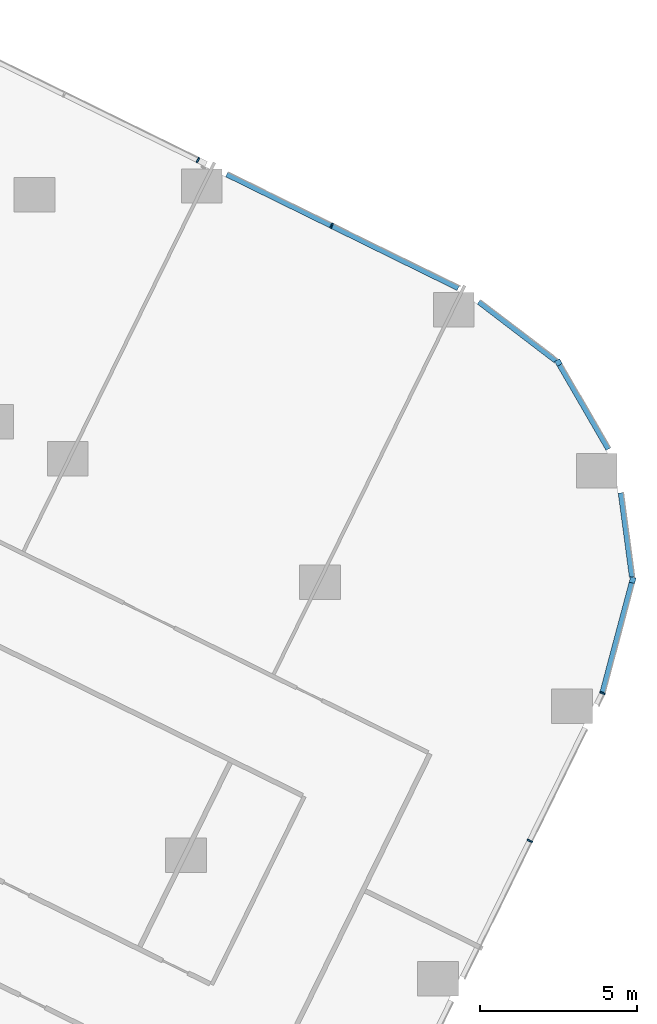
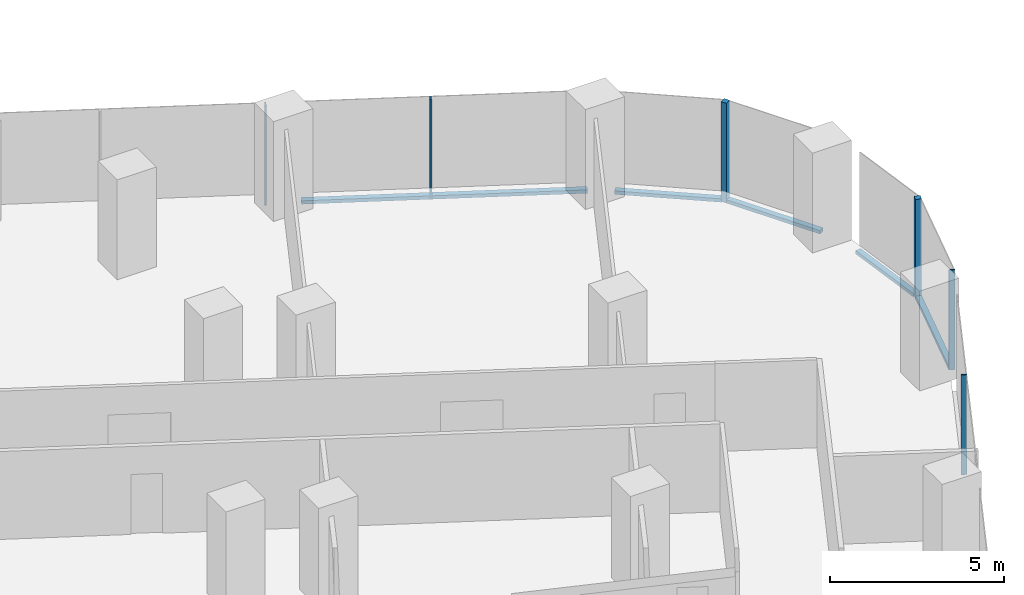
# One storey, part 12 of 38: 11 members, 6 elements without a shape of their own.
"""IFC4 building model written with IfcOpenShell, lengths in metres."""

from ifc_helpers import new_model, si_unit, direction, frame, origin, origin_2d, place, context, subcontext, project, spatial, rectangle, extrude, material, material_profile, profile_set, type_object, element, aggregate, save


model = new_model("IFC4")

# Units and contexts
model_context = context("Model", 3, precision=1e-05, world=origin(), true_north=direction((0.0, 1.0)))
body_context = subcontext(model_context, "Body", "Model", "MODEL_VIEW")
ifc_project = project(units=[si_unit("LENGTHUNIT", "METRE"), si_unit("AREAUNIT", "SQUARE_METRE"), si_unit("VOLUMEUNIT", "CUBIC_METRE"), si_unit("PLANEANGLEUNIT", "RADIAN"), si_unit("MASSUNIT", "GRAM", prefix="KILO")], contexts=[model_context])

# Site, building, storey
site_placement = place(None, origin())
site = spatial("IfcSite", under=ifc_project, at=site_placement, CompositionType="ELEMENT")
building_placement = place(site_placement, origin())
building = spatial("IfcBuilding", under=site, at=building_placement, Name="Orlundy Tower", CompositionType="ELEMENT")
storey_placement = place(building_placement, frame((0.0, 0.0, 62.300048828125)))
storey = spatial("IfcBuildingStorey", under=building, at=storey_placement, Name="L14", CompositionType="ELEMENT", Elevation=62.300048828125)

# Curtain wall, member
ifc_material_1 = material(Name="Aluminium bronze anodised", Category="aluminium")
curtain_wall_type = type_object("IfcCurtainWallType", Name="CW1 wall", PredefinedType="NOTDEFINED", material=ifc_material_1)
curtain_wall_1_placement = place(storey_placement, origin())
curtain_wall_1 = element("IfcCurtainWall", 1, at=curtain_wall_1_placement, inside=storey, type_object=curtain_wall_type, Name="CW1 run 020", PredefinedType="NOTDEFINED")
ifc_material_2 = material(Name="Aluminium bronze anodised", Category="aluminium")
ifc_material_profile_1 = material_profile(ifc_material_2, rectangle(XDim=0.179931640625, YDim=0.179931640625, at=origin_2d()), Name="CW1 corner post 180x180")
ifc_profile_set_1 = profile_set([ifc_material_profile_1], Name="Aluminium bronze anodised")
member_type_1 = type_object("IfcMemberType", Name="CW1 corner post 180x180", PredefinedType="MULLION", material=ifc_profile_set_1)
member_1_placement = place(storey_placement, frame((57.60595703125, -6.7314453125, -0.400146484375), z_axis=(0.0, 0.0, 1.0), x_axis=(0.865340088782, 0.501185126223, 0.0)))
member_1 = element("IfcMember", 2, at=member_1_placement, type_object=member_type_1, Name="CW1 mullion 58", PredefinedType="MULLION", context=body_context, shape_type="SweptSolid", body=[
    extrude(rectangle(XDim=0.179931640625, YDim=0.179931640625, at=origin_2d()), origin(), (0.0, 0.0, 1.0), 3.5),
])

curtain_wall_2_placement = place(storey_placement, origin())
curtain_wall_2 = element("IfcCurtainWall", 3, at=curtain_wall_2_placement, inside=storey, type_object=curtain_wall_type, Name="CW1 run 022", PredefinedType="NOTDEFINED")
member_2_placement = place(storey_placement, frame((59.9755859375, -13.679931640625, -0.400146484375), z_axis=(0.0, 0.0, 1.0), x_axis=(0.966315487466, -0.257360406209, 0.0)))
member_2 = element("IfcMember", 4, at=member_2_placement, type_object=member_type_1, Name="CW1 mullion 60", PredefinedType="MULLION", context=body_context, shape_type="SweptSolid", body=[
    extrude(rectangle(XDim=0.179931640625, YDim=0.179931640625, at=origin_2d()), origin(), (0.0, 0.0, 1.0), 3.5),
])

# Curtain wall, members
curtain_wall_3_placement = place(storey_placement, origin())
curtain_wall_3 = element("IfcCurtainWall", 5, at=curtain_wall_3_placement, inside=storey, type_object=curtain_wall_type, Name="CW1 run 018", PredefinedType="NOTDEFINED")
ifc_material_3 = material(Name="Aluminium bronze anodised", Category="aluminium")
ifc_material_profile_2 = material_profile(ifc_material_3, rectangle(XDim=0.179931640625, YDim=0.050048828125, at=origin_2d()), Name="CW1 mullion 50x180")
ifc_profile_set_2 = profile_set([ifc_material_profile_2], Name="Aluminium bronze anodised")
member_type_2 = type_object("IfcMemberType", Name="CW1 mullion 50x180", PredefinedType="MULLION", material=ifc_profile_set_2)
member_3_placement = place(storey_placement, frame((46.0966796875, -0.26513671875, -0.400146484375), z_axis=(0.0, 0.0, 1.0), x_axis=(0.440978180969, 0.897517823728, 0.0)))
member_3 = element("IfcMember", 6, at=member_3_placement, type_object=member_type_2, Name="CW1 mullion 55", PredefinedType="MULLION", context=body_context, shape_type="SweptSolid", body=[
    extrude(rectangle(XDim=0.179931640625, YDim=0.050048828125, at=origin_2d()), origin(), (0.0, 0.0, 1.0), 3.5),
])
member_4_placement = place(storey_placement, frame((50.36474609375, -2.3623046875, -0.400146484375), z_axis=(0.0, 0.0, 1.0), x_axis=(0.440978180969, 0.897517823728, 0.0)))
member_4 = element("IfcMember", 7, at=member_4_placement, type_object=member_type_2, Name="CW1 mullion 56", PredefinedType="MULLION", context=body_context, shape_type="SweptSolid", body=[
    extrude(rectangle(XDim=0.179931640625, YDim=0.050048828125, at=origin_2d()), origin(), (0.0, 0.0, 1.0), 3.5),
])

curtain_wall_4_placement = place(storey_placement, origin())
curtain_wall_4 = element("IfcCurtainWall", 8, at=curtain_wall_4_placement, inside=storey, type_object=curtain_wall_type, Name="CW1 run 023", PredefinedType="NOTDEFINED")
member_5_placement = place(storey_placement, frame((59.0146484375, -17.287841796875, -0.400146484375), z_axis=(0.0, 0.0, 1.0), x_axis=(0.936421410491, -0.350877388803, 0.0)))
member_5 = element("IfcMember", 9, at=member_5_placement, type_object=member_type_2, Name="CW1 mullion 61", PredefinedType="MULLION", context=body_context, shape_type="SweptSolid", body=[
    extrude(rectangle(XDim=0.179931640625, YDim=0.050048828125, at=origin_2d()), origin(), (0.0, 0.0, 1.0), 3.5),
])
member_6_placement = place(storey_placement, frame((56.695556640625, -22.00732421875, -0.400146484375), z_axis=(0.0, 0.0, 1.0), x_axis=(0.897501090883, -0.441012235503, 0.0)))
member_6 = element("IfcMember", 10, at=member_6_placement, type_object=member_type_2, Name="CW1 mullion 62", PredefinedType="MULLION", context=body_context, shape_type="SweptSolid", body=[
    extrude(rectangle(XDim=0.179931640625, YDim=0.050048828125, at=origin_2d()), origin(), (0.0, 0.0, 1.0), 3.5),
])
aggregate(curtain_wall_4, [member_5, member_6])

# Member
ifc_material_4 = material(Name="Aluminium bronze anodised", Category="aluminium")
ifc_material_profile_3 = material_profile(ifc_material_4, rectangle(XDim=0.179931640625, YDim=0.1201171875, at=origin_2d()), Name="CW1 transom 180x120")
ifc_profile_set_3 = profile_set([ifc_material_profile_3], Name="Aluminium bronze anodised")
member_type_3 = type_object("IfcMemberType", Name="CW1 transom 180x120", PredefinedType="USERDEFINED", material=ifc_profile_set_3)
member_7_placement = place(storey_placement, frame((47.02099609375, -0.719482421875, -0.340087890625), z_axis=(0.897519933419, -0.440973887113, 0.0), x_axis=(0.440973887113, 0.897519933419, 0.0)))
member_7 = element("IfcMember", 11, at=member_7_placement, type_object=member_type_3, Name="CW1 transom", ObjectType="TRANSOM", PredefinedType="USERDEFINED", context=body_context, shape_type="SweptSolid", body=[
    extrude(rectangle(XDim=0.179931640625, YDim=0.1201171875, at=origin_2d()), origin(), (0.0, 0.0, 1.0), 8.23095703125),
])

aggregate(curtain_wall_3, [member_3, member_4, member_7])

# Curtain wall, member
curtain_wall_5_placement = place(storey_placement, origin())
curtain_wall_5 = element("IfcCurtainWall", 12, at=curtain_wall_5_placement, inside=storey, type_object=curtain_wall_type, Name="CW1 run 019", PredefinedType="NOTDEFINED")
member_8_placement = place(storey_placement, frame((55.069091796875, -4.790771484375, -0.340087890625), z_axis=(0.79426830784, -0.60756716103, 0.0), x_axis=(0.60756716103, 0.79426830784, 0.0)))
member_8 = element("IfcMember", 13, at=member_8_placement, type_object=member_type_3, Name="CW1 transom", ObjectType="TRANSOM", PredefinedType="USERDEFINED", context=body_context, shape_type="SweptSolid", body=[
    extrude(rectangle(XDim=0.179931640625, YDim=0.1201171875, at=origin_2d()), origin(), (0.0, 0.0, 1.0), 3.096435546875),
])
aggregate(curtain_wall_5, [member_8])

# Member
member_9_placement = place(storey_placement, frame((57.651123046875, -6.809326171875, -0.340087890625), z_axis=(0.501166602946, -0.865350816774, 0.0), x_axis=(0.865350816774, 0.501166602946, 0.0)))
member_9 = element("IfcMember", 14, at=member_9_placement, type_object=member_type_3, Name="CW1 transom", ObjectType="TRANSOM", PredefinedType="USERDEFINED", context=body_context, shape_type="SweptSolid", body=[
    extrude(rectangle(XDim=0.179931640625, YDim=0.1201171875, at=origin_2d()), origin(), (0.0, 0.0, 1.0), 3.10107421875),
])

aggregate(curtain_wall_1, [member_1, member_9])

# Curtain wall, member
curtain_wall_6_placement = place(storey_placement, origin())
curtain_wall_6 = element("IfcCurtainWall", 15, at=curtain_wall_6_placement, inside=storey, type_object=curtain_wall_type, Name="CW1 run 021", PredefinedType="NOTDEFINED")
member_10_placement = place(storey_placement, frame((59.604736328125, -10.89306640625, -0.340087890625), z_axis=(0.131880872089, -0.991265572678, 0.0), x_axis=(0.991265572678, 0.131880872089, 0.0)))
member_10 = element("IfcMember", 16, at=member_10_placement, type_object=member_type_3, Name="CW1 transom", ObjectType="TRANSOM", PredefinedType="USERDEFINED", context=body_context, shape_type="SweptSolid", body=[
    extrude(rectangle(XDim=0.179931640625, YDim=0.1201171875, at=origin_2d()), origin(), (0.0, 0.0, 1.0), 2.7138671875),
])
aggregate(curtain_wall_6, [member_10])

# Member
member_11_placement = place(storey_placement, frame((59.952392578125, -13.766845703125, -0.340087890625), z_axis=(-0.257335078576, -0.966322232661, 0.0), x_axis=(0.966322232661, -0.257335078576, 0.0)))
member_11 = element("IfcMember", 17, at=member_11_placement, type_object=member_type_3, Name="CW1 transom", ObjectType="TRANSOM", PredefinedType="USERDEFINED", context=body_context, shape_type="SweptSolid", body=[
    extrude(rectangle(XDim=0.179931640625, YDim=0.1201171875, at=origin_2d()), origin(), (0.0, 0.0, 1.0), 3.618408203125),
])

aggregate(curtain_wall_2, [member_2, member_11])

save(model, "model.ifc")
